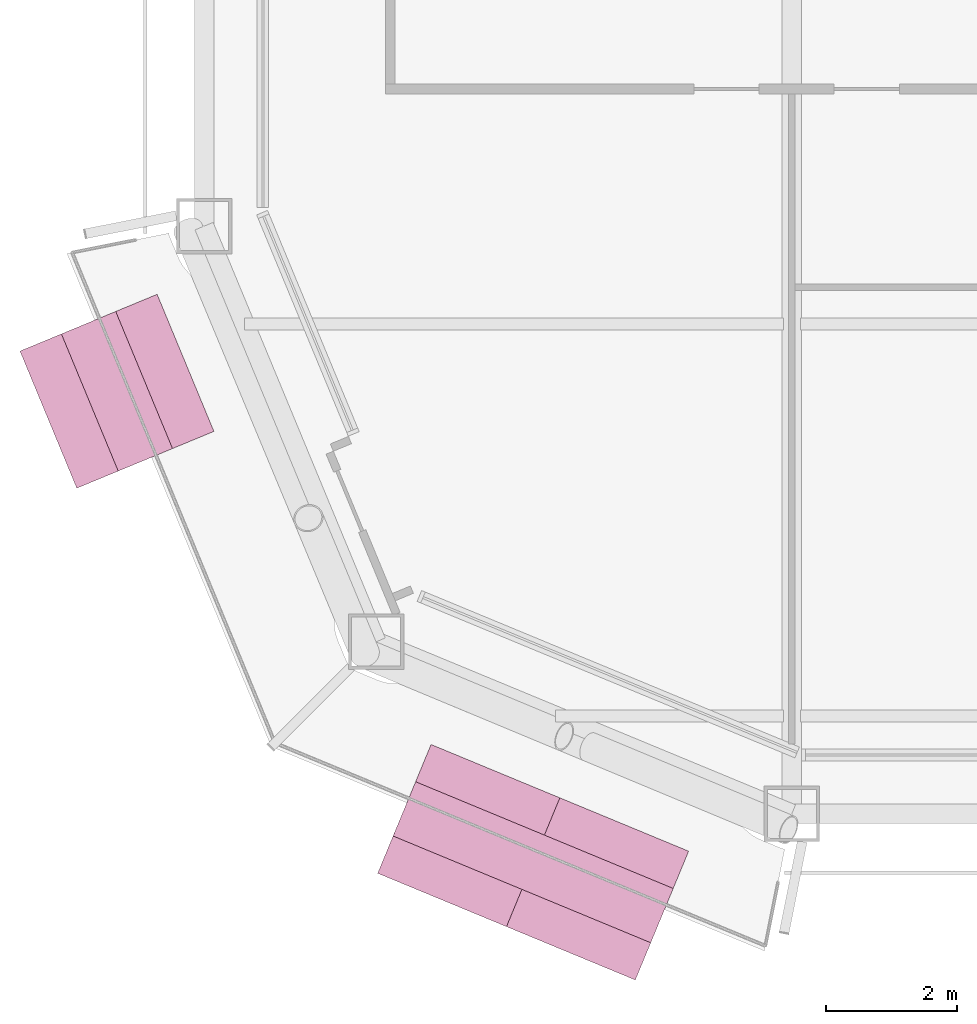
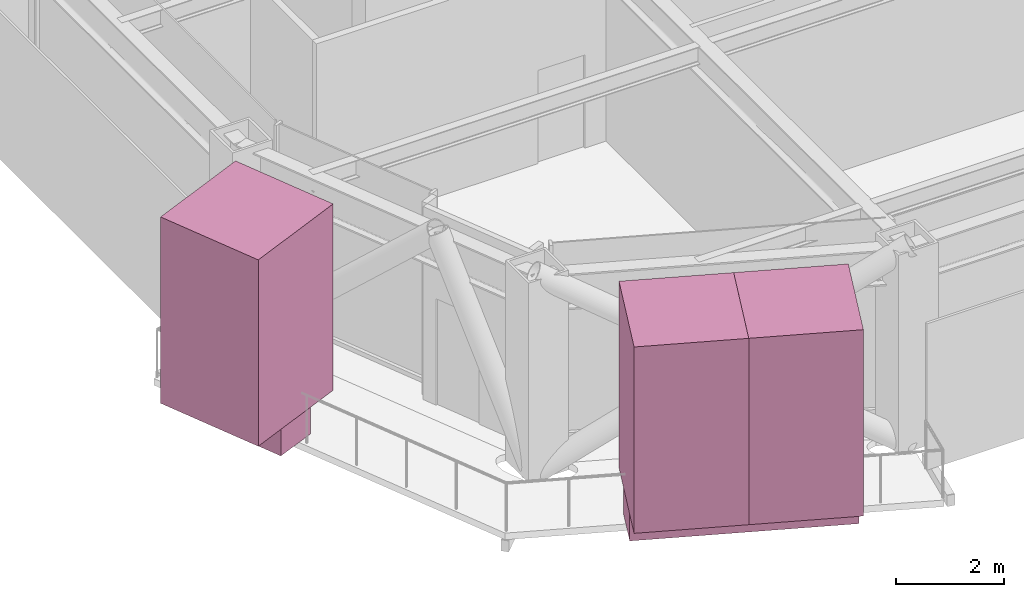
# One storey, part 24 of 24: 5 furnishings.
"""IFC4 building model written with IfcOpenShell, lengths in metres."""

from ifc_helpers import new_model, si_unit, direction, frame, origin, origin_2d, place, context, subcontext, project, spatial, rectangle, extrude, material, type_object, element, save


model = new_model("IFC4")

# Units and contexts
model_context = context("Model", 3, precision=1e-05, world=origin(), true_north=direction((0.0, 1.0)))
body_context = subcontext(model_context, "Body", "Model", "MODEL_VIEW")
ifc_project = project(units=[si_unit("LENGTHUNIT", "METRE"), si_unit("AREAUNIT", "SQUARE_METRE"), si_unit("VOLUMEUNIT", "CUBIC_METRE"), si_unit("PLANEANGLEUNIT", "RADIAN"), si_unit("MASSUNIT", "GRAM", prefix="KILO")], contexts=[model_context])

# Site, building, storey
site_placement = place(None, origin())
site = spatial("IfcSite", under=ifc_project, at=site_placement, CompositionType="ELEMENT")
building_placement = place(site_placement, origin())
building = spatial("IfcBuilding", under=site, at=building_placement, Name="Siwar Civic Tower", CompositionType="ELEMENT")
storey_placement = place(building_placement, frame((0.0, 0.0, 215.199951171875)))
storey = spatial("IfcBuildingStorey", under=building, at=storey_placement, Name="L46", CompositionType="ELEMENT", Elevation=215.199951171875)

# Furnishings
ifc_material_1 = material(Name="Planting soil and foliage")
furnishing_element_type_1 = type_object("IfcFurnishingElementType", Name="ENV-PLANTER", material=ifc_material_1)
furnishing_1_placement = place(storey_placement, frame((-28.333984375, -20.5283203125, 0.0), z_axis=(0.0, 0.0, 1.0), x_axis=(0.382683432365, -0.923879532511, 0.0)))
element("IfcFurnishingElement", 1, at=furnishing_1_placement, inside=storey, type_object=furnishing_element_type_1, Name="PLANTER SW 1", context=body_context, shape_type="SweptSolid", body=[
    extrude(rectangle(XDim=2.273193359375, YDim=0.89990234375, at=origin_2d()), origin(), (0.0, 0.0, 1.0), 0.60009765625),
])
furnishing_2_placement = place(storey_placement, frame((-21.960205078125, -27.740966796875, 0.0), z_axis=(0.0, 0.0, 1.0), x_axis=(0.923879532511, -0.382683432365, 0.0)))
element("IfcFurnishingElement", 2, at=furnishing_2_placement, inside=storey, type_object=furnishing_element_type_1, Name="PLANTER SW 2", context=body_context, shape_type="SweptSolid", body=[
    extrude(rectangle(XDim=4.270751953125, YDim=0.89990234375, at=origin_2d()), origin(), (0.0, 0.0, 1.0), 0.60009765625),
])
ifc_material_2 = material(Name="Planting soil and foliage")
furnishing_element_type_2 = type_object("IfcFurnishingElementType", Name="ENV-TREE", material=ifc_material_2)
furnishing_3_placement = place(storey_placement, frame((-28.333984375, -20.5283203125, 0.60009765625), z_axis=(0.0, 0.0, 1.0), x_axis=(0.382683432365, -0.923879532511, 0.0)))
element("IfcFurnishingElement", 3, at=furnishing_3_placement, inside=storey, type_object=furnishing_element_type_2, Name="PLANTER (TREE) SW 1.1", context=body_context, shape_type="SweptSolid", body=[
    extrude(rectangle(XDim=2.273193359375, YDim=2.273193359375, at=origin_2d()), origin(), (0.0, 0.0, 1.0), 4.199951171875),
])
for number, where, z_axis, x_axis, name in (
    (4, (-22.94677734375, -27.332275390625, 0.60009765625), (0.0, 0.0, 1.0), (0.923879532511, -0.382683432365, 0.0), "PLANTER (TREE) SW 2.1"),
    (5, (-20.973876953125, -28.1494140625, 0.60009765625), (0.0, 0.0, 1.0), (0.923879532511, -0.382683432365, 0.0), "PLANTER (TREE) SW 2.2"),
):
    element("IfcFurnishingElement", number, at=place(storey_placement, frame(where, z_axis=z_axis, x_axis=x_axis)), inside=storey, type_object=furnishing_element_type_2, Name=name, context=body_context, shape_type="SweptSolid", body=[
        extrude(rectangle(XDim=2.13525390625, YDim=2.13525390625, at=origin_2d()), origin(), (0.0, 0.0, 1.0), 4.199951171875),
    ])

save(model, "model.ifc")
